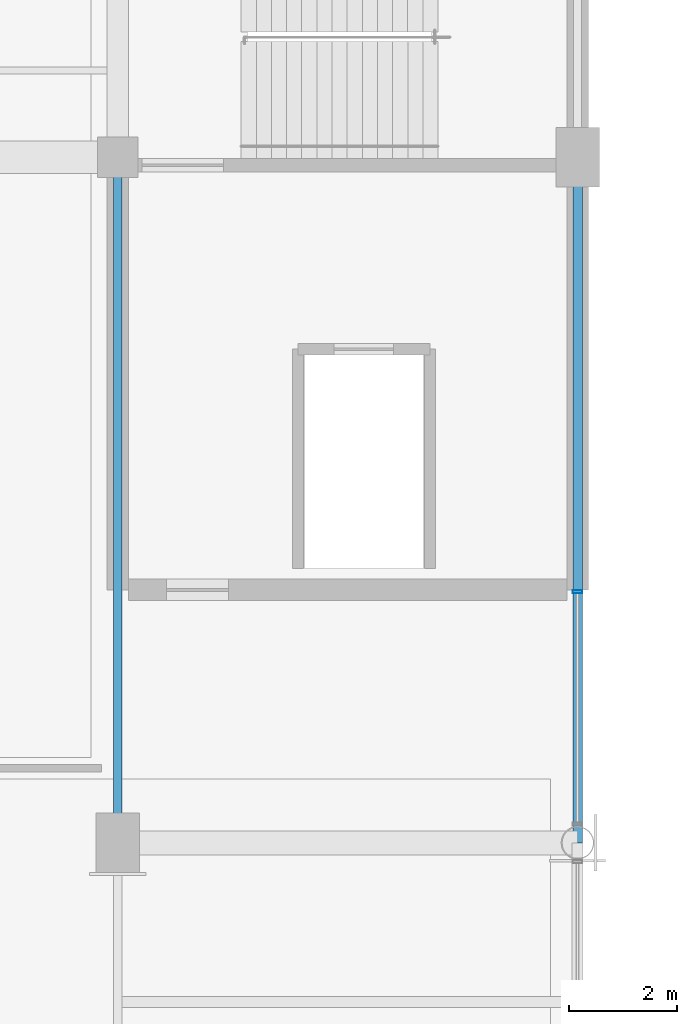
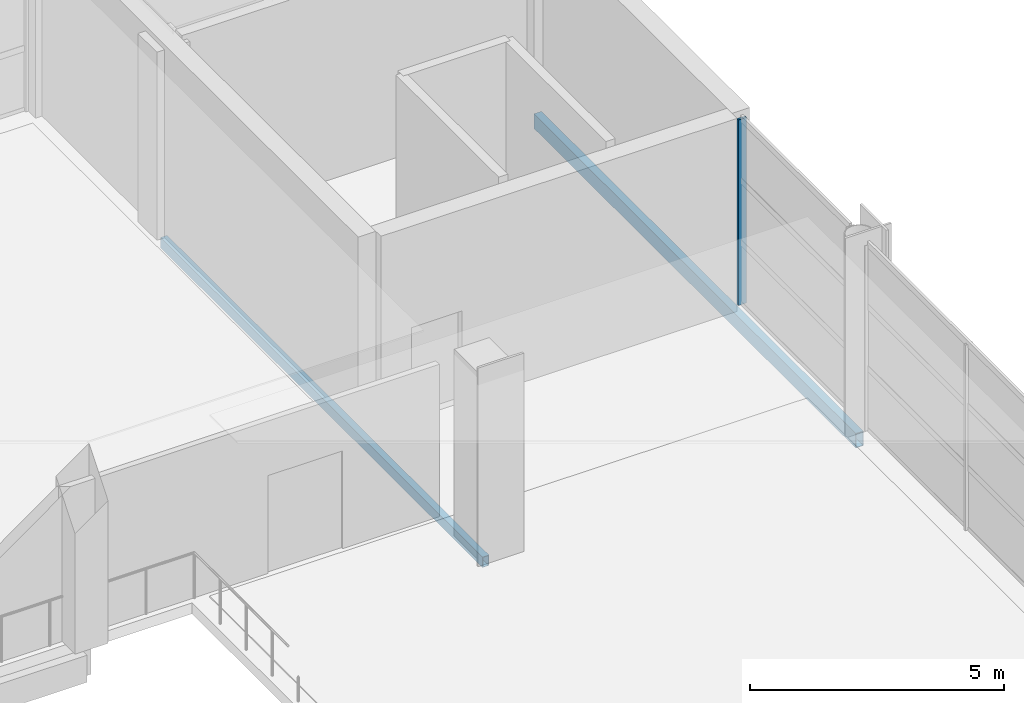
# One storey, part 28 of 112: 2 beams, 1 member, 1 element without a shape of its own.
"""IFC4 building model written with IfcOpenShell, lengths in metres."""

from ifc_helpers import new_model, si_unit, direction, frame, origin, origin_2d, place, context, subcontext, project, spatial, hollow_rectangle, extrude, material, material_profile, profile_set, type_object, element, aggregate, save


model = new_model("IFC4")

# Units and contexts
model_context = context("Model", 3, precision=1e-05, world=origin(), true_north=direction((0.0, 1.0)))
body_context = subcontext(model_context, "Body", "Model", "MODEL_VIEW")
ifc_project = project(units=[si_unit("LENGTHUNIT", "METRE"), si_unit("AREAUNIT", "SQUARE_METRE"), si_unit("VOLUMEUNIT", "CUBIC_METRE"), si_unit("PLANEANGLEUNIT", "RADIAN"), si_unit("MASSUNIT", "GRAM", prefix="KILO")], contexts=[model_context])

# Site, building, storey
site_placement = place(None, origin())
site = spatial("IfcSite", under=ifc_project, at=site_placement, CompositionType="ELEMENT")
building_placement = place(site_placement, origin())
building = spatial("IfcBuilding", under=site, at=building_placement, Name="Solvikara Media Centre", CompositionType="ELEMENT")
storey_placement = place(building_placement, frame((0.0, 0.0, 5.39990234375)))
storey = spatial("IfcBuildingStorey", under=building, at=storey_placement, Name="L01", CompositionType="ELEMENT", Elevation=5.39990234375)

# Beams
ifc_material_1 = material(Name="Steel S355JR", Category="steel")
ifc_material_profile_1 = material_profile(ifc_material_1, hollow_rectangle(XDim=0.175048828125, YDim=0.35009765625, WallThickness=0.010009765625, at=origin_2d()), Name="RHS 350x175x10")
ifc_profile_set_1 = profile_set([ifc_material_profile_1], Name="Steel S355JR")
beam_type_1 = type_object("IfcBeamType", Name="BM-34", PredefinedType="SPANDREL", material=ifc_profile_set_1)
beam_1_placement = place(storey_placement, frame((76.5, 19.323974609375, -0.43701171875), z_axis=(0.0, 1.0, 0.0), x_axis=(-1.0, 0.0, 0.0)))
element("IfcBeam", 1, at=beam_1_placement, inside=storey, type_object=beam_type_1, Name="B-L01-Y0598", PredefinedType="SPANDREL", context=body_context, shape_type="SweptSolid", body=[
    extrude(hollow_rectangle(XDim=0.175048828125, YDim=0.35009765625, WallThickness=0.010009765625, at=origin_2d()), origin(), (0.0, 0.0, 1.0), 12.676025390625),
])
ifc_material_profile_2 = material_profile(ifc_material_1, hollow_rectangle(XDim=0.14990234375, YDim=0.25, WallThickness=0.008056640625, at=origin_2d()), Name="RHS 250x150x8")
ifc_profile_set_2 = profile_set([ifc_material_profile_2], Name="Steel S355JR")
beam_type_2 = type_object("IfcBeamType", Name="BM-36", PredefinedType="JOIST", material=ifc_profile_set_2)
beam_2_placement = place(storey_placement, frame((68.0, 19.323974609375, -0.386962890625), z_axis=(0.0, 1.0, 0.0), x_axis=(-1.0, 0.0, 0.0)))
element("IfcBeam", 2, at=beam_2_placement, inside=storey, type_object=beam_type_2, Name="B-L01-Y0594", PredefinedType="JOIST", context=body_context, shape_type="SweptSolid", body=[
    extrude(hollow_rectangle(XDim=0.14990234375, YDim=0.25, WallThickness=0.008056640625, at=origin_2d()), origin(), (0.0, 0.0, 1.0), 12.676025390625),
])

# Curtain wall, member
ifc_material_2 = material(Name="Anodised aluminium EN AW-6063", Category="aluminium")
curtain_wall_type = type_object("IfcCurtainWallType", Name="CW-16", PredefinedType="NOTDEFINED", material=ifc_material_2)
curtain_wall_placement = place(storey_placement, origin())
curtain_wall = element("IfcCurtainWall", 3, at=curtain_wall_placement, inside=storey, type_object=curtain_wall_type, Name="CW-L01-V6E-S3", PredefinedType="NOTDEFINED")
ifc_material_profile_3 = material_profile(ifc_material_2, hollow_rectangle(XDim=0.06005859375, YDim=0.179931640625, WallThickness=0.00341796875, at=origin_2d()), Name="ALU-M 60x180x3.5")
ifc_profile_set_3 = profile_set([ifc_material_profile_3], Name="Anodised aluminium EN AW-6063")
member_type = type_object("IfcMemberType", Name="MF-03", PredefinedType="MULLION", material=ifc_profile_set_3)
member_placement = place(storey_placement, frame((76.5, 23.965087890625, 0.02001953125), z_axis=(0.0, 0.0, 1.0), x_axis=(0.0, 1.0, 0.0)))
member = element("IfcMember", 4, at=member_placement, type_object=member_type, Name="CW-L01-V6E-S3-M01", PredefinedType="MULLION", context=body_context, shape_type="SweptSolid", body=[
    extrude(hollow_rectangle(XDim=0.06005859375, YDim=0.179931640625, WallThickness=0.00341796875, at=origin_2d()), origin(), (0.0, 0.0, 1.0), 4.4599609375),
])
aggregate(curtain_wall, [member])

save(model, "model.ifc")
